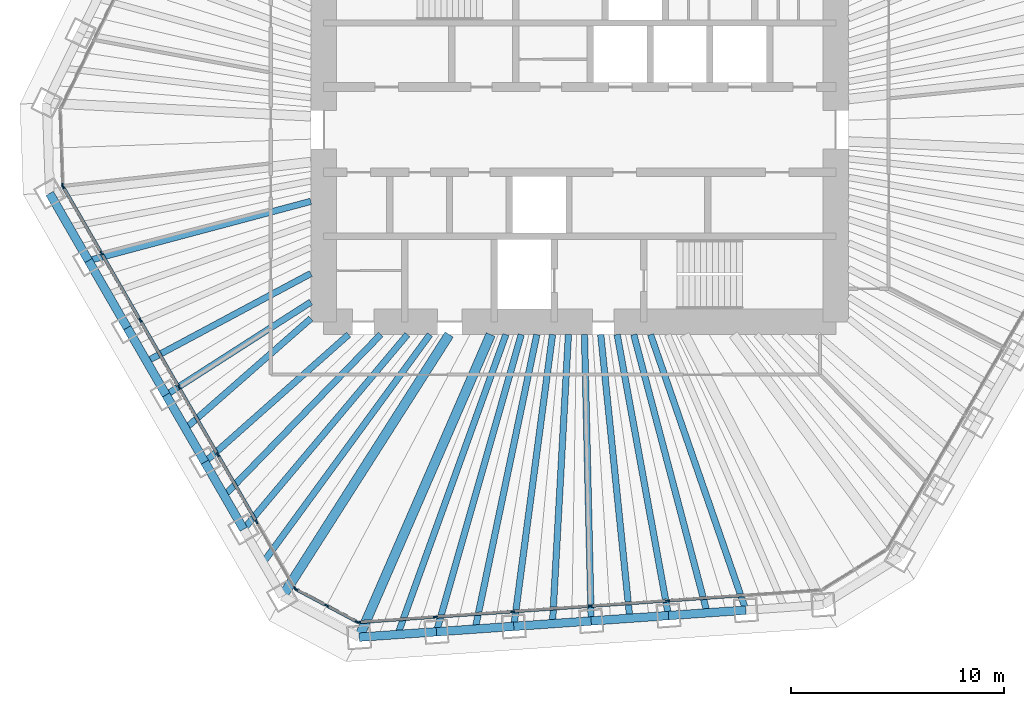
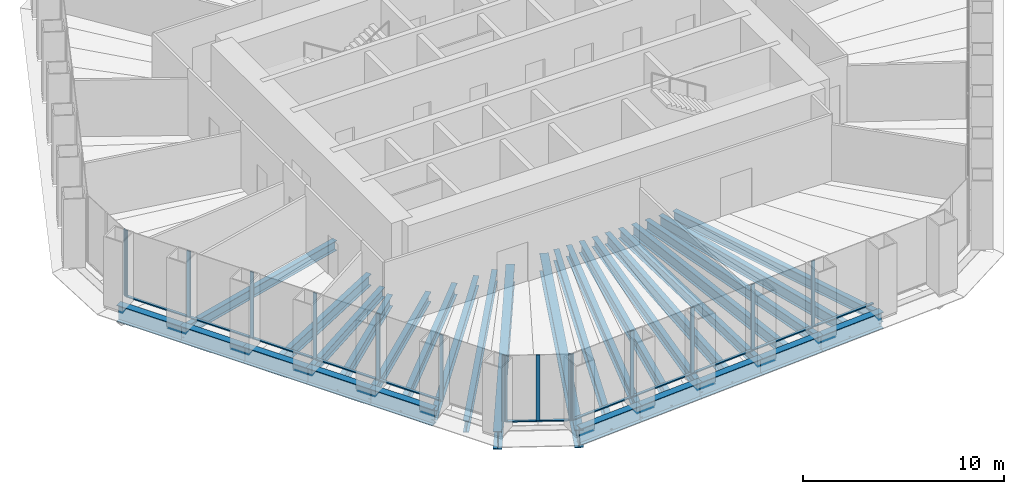
# One storey, part 2 of 13: 30 beams, 28 members, 4 elements without a shape of their own.
"""IFC4 building model written with IfcOpenShell, lengths in metres."""

from ifc_helpers import new_model, si_unit, direction, frame, origin, origin_2d, place, context, subcontext, project, spatial, rectangle, i_section, extrude, material, material_profile, profile_set, type_object, element, aggregate, save


model = new_model("IFC4")

# Units and contexts
model_context = context("Model", 3, precision=1e-05, world=origin(), true_north=direction((0.0, 1.0)))
body_context = subcontext(model_context, "Body", "Model", "MODEL_VIEW")
ifc_project = project(units=[si_unit("LENGTHUNIT", "METRE"), si_unit("AREAUNIT", "SQUARE_METRE"), si_unit("VOLUMEUNIT", "CUBIC_METRE"), si_unit("PLANEANGLEUNIT", "RADIAN"), si_unit("MASSUNIT", "GRAM", prefix="KILO")], contexts=[model_context])

# Site, building, storey
site_placement = place(None, origin())
site = spatial("IfcSite", under=ifc_project, at=site_placement, CompositionType="ELEMENT")
building_placement = place(site_placement, origin())
building = spatial("IfcBuilding", under=site, at=building_placement, Name="Qingtian Harvest Tower", CompositionType="ELEMENT")
storey_placement = place(building_placement, frame((0.0, 0.0, 218.199951171875)))
storey = spatial("IfcBuildingStorey", under=building, at=storey_placement, Name="L47", CompositionType="ELEMENT", Elevation=218.199951171875)

# Beams
ifc_material_1 = material(Name="Steel SM570MC", Category="steel")
ifc_material_profile_1 = material_profile(ifc_material_1, i_section(OverallWidth=0.449951171875, OverallDepth=1.10009765625, WebThickness=0.02197265625, FlangeThickness=0.044921875, at=origin_2d()), Name="H1100x450x22x45")
ifc_profile_set_1 = profile_set([ifc_material_profile_1], Name="Steel SM570MC")
beam_type_1 = type_object("IfcBeamType", Name="Corner floor beam FB8 H1100x450x22x45", PredefinedType="BEAM", material=ifc_profile_set_1)
beam_1_placement = place(storey_placement, frame((-10.33837890625, -23.779052734375, -0.719970703125), z_axis=(0.398714563353, 0.917075077063, 0.0), x_axis=(-0.917075077063, 0.398714563353, 0.0)))
element("IfcBeam", 1, at=beam_1_placement, inside=storey, type_object=beam_type_1, Name="Floor beam FB8 S6", PredefinedType="BEAM", context=body_context, shape_type="SweptSolid", body=[
    extrude(i_section(OverallWidth=0.449951171875, OverallDepth=1.10009765625, WebThickness=0.02197265625, FlangeThickness=0.044921875, at=origin_2d()), origin(), (0.0, 0.0, 1.0), 15.461181640625),
])
beam_2_placement = place(storey_placement, frame((-13.9326171875, -21.8681640625, -0.719970703125), z_axis=(0.537326103898, 0.8433745657, 0.0), x_axis=(-0.8433745657, 0.537326103898, 0.0)))
element("IfcBeam", 2, at=beam_2_placement, inside=storey, type_object=beam_type_1, Name="Floor beam FB8 SW0", PredefinedType="BEAM", context=body_context, shape_type="SweptSolid", body=[
    extrude(i_section(OverallWidth=0.449951171875, OverallDepth=1.10009765625, WebThickness=0.02197265625, FlangeThickness=0.044921875, at=origin_2d()), origin(), (0.0, 0.0, 1.0), 14.54638671875),
])
ifc_material_2 = material(Name="Steel SN490B", Category="steel")
ifc_material_profile_2 = material_profile(ifc_material_2, i_section(OverallWidth=0.300048828125, OverallDepth=0.699951171875, WebThickness=0.012939453125, FlangeThickness=0.02392578125, at=origin_2d()), Name="H700x300x13x24")
ifc_profile_set_2 = profile_set([ifc_material_profile_2], Name="Steel SN490B")
beam_type_2 = type_object("IfcBeamType", Name="Floor beam FB2 H700x300x13x24", PredefinedType="BEAM", material=ifc_profile_set_2)
beam_3_placement = place(storey_placement, frame((-6.713623046875, -23.525634765625, -0.52001953125), z_axis=(0.274411610503, 0.961612327303, 0.0), x_axis=(-0.961612327303, 0.274411610503, 0.0)))
element("IfcBeam", 3, at=beam_3_placement, inside=storey, type_object=beam_type_2, Name="Floor beam FB2 S5", PredefinedType="BEAM", context=body_context, shape_type="SweptSolid", body=[
    extrude(i_section(OverallWidth=0.300048828125, OverallDepth=0.699951171875, WebThickness=0.012939453125, FlangeThickness=0.02392578125, at=origin_2d()), origin(), (0.0, 0.0, 1.0), 14.4814453125),
])
ifc_material_3 = material(Name="Steel SN490B", Category="steel")
ifc_material_profile_3 = material_profile(ifc_material_3, i_section(OverallWidth=0.300048828125, OverallDepth=0.60009765625, WebThickness=0.011962890625, FlangeThickness=0.02001953125, at=origin_2d()), Name="H600x300x12x20")
ifc_profile_set_3 = profile_set([ifc_material_profile_3], Name="Steel SN490B")
beam_type_3 = type_object("IfcBeamType", Name="Floor beam FB3 H600x300x12x20", PredefinedType="BEAM", material=ifc_profile_set_3)
beam_4_placement = place(storey_placement, frame((7.78515625, -22.51171875, -0.469970703125), z_axis=(-0.326844175409, 0.945078242793, 0.0), x_axis=(-0.945078242793, -0.326844175409, 0.0)))
element("IfcBeam", 4, at=beam_4_placement, inside=storey, type_object=beam_type_3, Name="Floor beam FB3 S1", PredefinedType="BEAM", context=body_context, shape_type="SweptSolid", body=[
    extrude(i_section(OverallWidth=0.300048828125, OverallDepth=0.60009765625, WebThickness=0.011962890625, FlangeThickness=0.02001953125, at=origin_2d()), origin(), (0.0, 0.0, 1.0), 13.661865234375),
])
beam_5_placement = place(storey_placement, frame((4.160400390625, -22.76513671875, -0.469970703125), z_axis=(-0.179779537209, 0.983706926885, 0.0), x_axis=(-0.983706926885, -0.179779537209, 0.0)))
element("IfcBeam", 5, at=beam_5_placement, inside=storey, type_object=beam_type_3, Name="Floor beam FB3 S2", PredefinedType="BEAM", context=body_context, shape_type="SweptSolid", body=[
    extrude(i_section(OverallWidth=0.300048828125, OverallDepth=0.60009765625, WebThickness=0.011962890625, FlangeThickness=0.02001953125, at=origin_2d()), origin(), (0.0, 0.0, 1.0), 13.383056640625),
])
beam_6_placement = place(storey_placement, frame((0.53564453125, -23.018798828125, -0.469970703125), z_axis=(-0.023263902078, 0.999729358807, 0.0), x_axis=(-0.999729358807, -0.023263902078, 0.0)))
element("IfcBeam", 6, at=beam_6_placement, inside=storey, type_object=beam_type_3, Name="Floor beam FB3 S3", PredefinedType="BEAM", context=body_context, shape_type="SweptSolid", body=[
    extrude(i_section(OverallWidth=0.300048828125, OverallDepth=0.60009765625, WebThickness=0.011962890625, FlangeThickness=0.02001953125, at=origin_2d()), origin(), (0.0, 0.0, 1.0), 13.42236328125),
])
beam_7_placement = place(storey_placement, frame((-3.089111328125, -23.272216796875, -0.469970703125), z_axis=(0.131593229442, 0.991303799027, 0.0), x_axis=(-0.991303799027, 0.131593229442, 0.0)))
element("IfcBeam", 7, at=beam_7_placement, inside=storey, type_object=beam_type_3, Name="Floor beam FB3 S4", PredefinedType="BEAM", context=body_context, shape_type="SweptSolid", body=[
    extrude(i_section(OverallWidth=0.300048828125, OverallDepth=0.60009765625, WebThickness=0.011962890625, FlangeThickness=0.02001953125, at=origin_2d()), origin(), (0.0, 0.0, 1.0), 13.7919921875),
])
beam_8_placement = place(storey_placement, frame((-15.749267578125, -18.72119140625, -0.469970703125), z_axis=(0.643763532906, 0.765224485821, 0.0), x_axis=(-0.765224485821, 0.643763532906, 0.0)))
element("IfcBeam", 8, at=beam_8_placement, inside=storey, type_object=beam_type_3, Name="Floor beam FB3 SW1", PredefinedType="BEAM", context=body_context, shape_type="SweptSolid", body=[
    extrude(i_section(OverallWidth=0.300048828125, OverallDepth=0.60009765625, WebThickness=0.011962890625, FlangeThickness=0.02001953125, at=origin_2d()), origin(), (0.0, 0.0, 1.0), 11.91943359375),
])
beam_9_placement = place(storey_placement, frame((-17.566162109375, -15.574462890625, -0.469970703125), z_axis=(0.748259768664, 0.663405847577, 0.0), x_axis=(-0.663405847577, 0.748259768664, 0.0)))
element("IfcBeam", 9, at=beam_9_placement, inside=storey, type_object=beam_type_3, Name="Floor beam FB3 SW2", PredefinedType="BEAM", context=body_context, shape_type="SweptSolid", body=[
    extrude(i_section(OverallWidth=0.300048828125, OverallDepth=0.60009765625, WebThickness=0.011962890625, FlangeThickness=0.02001953125, at=origin_2d()), origin(), (0.0, 0.0, 1.0), 9.005615234375),
])
beam_10_placement = place(storey_placement, frame((-19.3828125, -12.427734375, -0.469970703125), z_axis=(0.841823714388, 0.539752567288, 0.0), x_axis=(-0.539752567288, 0.841823714388, 0.0)))
element("IfcBeam", 10, at=beam_10_placement, inside=storey, type_object=beam_type_3, Name="Floor beam FB3 SW3", PredefinedType="BEAM", context=body_context, shape_type="SweptSolid", body=[
    extrude(i_section(OverallWidth=0.300048828125, OverallDepth=0.60009765625, WebThickness=0.011962890625, FlangeThickness=0.02001953125, at=origin_2d()), origin(), (0.0, 0.0, 1.0), 8.05712890625),
])
beam_11_placement = place(storey_placement, frame((-23.016357421875, -6.13427734375, -0.469970703125), z_axis=(0.966270640629, 0.257528734433, 0.0), x_axis=(-0.257528734433, 0.966270640629, 0.0)))
element("IfcBeam", 11, at=beam_11_placement, inside=storey, type_object=beam_type_3, Name="Floor beam FB3 SW5", PredefinedType="BEAM", context=body_context, shape_type="SweptSolid", body=[
    extrude(i_section(OverallWidth=0.300048828125, OverallDepth=0.60009765625, WebThickness=0.011962890625, FlangeThickness=0.02001953125, at=origin_2d()), origin(), (0.0, 0.0, 1.0), 10.77978515625),
])
ifc_material_4 = material(Name="Steel SN490B", Category="steel")
ifc_material_profile_4 = material_profile(ifc_material_4, i_section(OverallWidth=0.300048828125, OverallDepth=0.699951171875, WebThickness=0.012939453125, FlangeThickness=0.02392578125, at=origin_2d()), Name="H700x300x13x24")
ifc_profile_set_4 = profile_set([ifc_material_profile_4], Name="Steel SN490B")
beam_type_4 = type_object("IfcBeamType", Name="Floor joist J2 H700x300x13x24", PredefinedType="JOIST", material=ifc_profile_set_4)
beam_12_placement = place(storey_placement, frame((5.97265625, -22.638427734375, -0.52001953125), z_axis=(-0.255103716232, 0.9669136952, 0.0), x_axis=(-0.9669136952, -0.255103716232, 0.0)))
element("IfcBeam", 12, at=beam_12_placement, inside=storey, type_object=beam_type_4, Name="Floor joist J2 S1", PredefinedType="JOIST", context=body_context, shape_type="SweptSolid", body=[
    extrude(i_section(OverallWidth=0.300048828125, OverallDepth=0.699951171875, WebThickness=0.012939453125, FlangeThickness=0.02392578125, at=origin_2d()), origin(), (0.0, 0.0, 1.0), 13.484375),
])
beam_13_placement = place(storey_placement, frame((2.347900390625, -22.89208984375, -0.52001953125), z_axis=(-0.102028865499, 0.994781438611, 0.0), x_axis=(-0.994781438611, -0.102028865499, 0.0)))
element("IfcBeam", 13, at=beam_13_placement, inside=storey, type_object=beam_type_4, Name="Floor joist J2 S2", PredefinedType="JOIST", context=body_context, shape_type="SweptSolid", body=[
    extrude(i_section(OverallWidth=0.300048828125, OverallDepth=0.699951171875, WebThickness=0.012939453125, FlangeThickness=0.02392578125, at=origin_2d()), origin(), (0.0, 0.0, 1.0), 13.36181640625),
])
beam_14_placement = place(storey_placement, frame((-1.276611328125, -23.1455078125, -0.52001953125), z_axis=(0.055069329716, 0.998482533109, 0.0), x_axis=(-0.998482533109, 0.055069329716, 0.0)))
element("IfcBeam", 14, at=beam_14_placement, inside=storey, type_object=beam_type_4, Name="Floor joist J2 S3", PredefinedType="JOIST", context=body_context, shape_type="SweptSolid", body=[
    extrude(i_section(OverallWidth=0.300048828125, OverallDepth=0.699951171875, WebThickness=0.012939453125, FlangeThickness=0.02392578125, at=origin_2d()), origin(), (0.0, 0.0, 1.0), 13.56591796875),
])
beam_15_placement = place(storey_placement, frame((-4.9013671875, -23.39892578125, -0.52001953125), z_axis=(0.205016322093, 0.978758554331, 0.0), x_axis=(-0.978758554331, 0.205016322093, 0.0)))
element("IfcBeam", 15, at=beam_15_placement, inside=storey, type_object=beam_type_4, Name="Floor joist J2 S4", PredefinedType="JOIST", context=body_context, shape_type="SweptSolid", body=[
    extrude(i_section(OverallWidth=0.300048828125, OverallDepth=0.699951171875, WebThickness=0.012939453125, FlangeThickness=0.02392578125, at=origin_2d()), origin(), (0.0, 0.0, 1.0), 14.098388671875),
])
beam_16_placement = place(storey_placement, frame((-8.526123046875, -23.65234375, -0.52001953125), z_axis=(0.339126305921, 0.940740850943, 0.0), x_axis=(-0.940740850943, 0.339126305921, 0.0)))
element("IfcBeam", 16, at=beam_16_placement, inside=storey, type_object=beam_type_4, Name="Floor joist J2 S5", PredefinedType="JOIST", context=body_context, shape_type="SweptSolid", body=[
    extrude(i_section(OverallWidth=0.300048828125, OverallDepth=0.699951171875, WebThickness=0.012939453125, FlangeThickness=0.02392578125, at=origin_2d()), origin(), (0.0, 0.0, 1.0), 14.9375),
])
beam_17_placement = place(storey_placement, frame((-14.841064453125, -20.294677734375, -0.52001953125), z_axis=(0.590288677526, 0.807192218238, 0.0), x_axis=(-0.807192218238, 0.590288677526, 0.0)))
element("IfcBeam", 17, at=beam_17_placement, inside=storey, type_object=beam_type_4, Name="Floor joist J2 SW0", PredefinedType="JOIST", context=body_context, shape_type="SweptSolid", body=[
    extrude(i_section(OverallWidth=0.300048828125, OverallDepth=0.699951171875, WebThickness=0.012939453125, FlangeThickness=0.02392578125, at=origin_2d()), origin(), (0.0, 0.0, 1.0), 13.2490234375),
])
beam_18_placement = place(storey_placement, frame((-16.65771484375, -17.14794921875, -0.52001953125), z_axis=(0.696777499009, 0.717287332158, 0.0), x_axis=(-0.717287332158, 0.696777499009, 0.0)))
element("IfcBeam", 18, at=beam_18_placement, inside=storey, type_object=beam_type_4, Name="Floor joist J2 SW1", PredefinedType="JOIST", context=body_context, shape_type="SweptSolid", body=[
    extrude(i_section(OverallWidth=0.300048828125, OverallDepth=0.699951171875, WebThickness=0.012939453125, FlangeThickness=0.02392578125, at=origin_2d()), origin(), (0.0, 0.0, 1.0), 10.522705078125),
])
beam_19_placement = place(storey_placement, frame((-18.474609375, -14.001220703125, -0.52001953125), z_axis=(0.751883296969, 0.659296221542, 0.0), x_axis=(-0.659296221542, 0.751883296969, 0.0)))
element("IfcBeam", 19, at=beam_19_placement, inside=storey, type_object=beam_type_4, Name="Floor joist J2 SW2", PredefinedType="JOIST", context=body_context, shape_type="SweptSolid", body=[
    extrude(i_section(OverallWidth=0.300048828125, OverallDepth=0.699951171875, WebThickness=0.012939453125, FlangeThickness=0.02392578125, at=origin_2d()), origin(), (0.0, 0.0, 1.0), 7.81298828125),
])
beam_20_placement = place(storey_placement, frame((-20.291259765625, -10.8544921875, -0.52001953125), z_axis=(0.881766503154, 0.471686160402, 0.0), x_axis=(-0.471686160402, 0.881766503154, 0.0)))
element("IfcBeam", 20, at=beam_20_placement, inside=storey, type_object=beam_type_4, Name="Floor joist J2 SW3", PredefinedType="JOIST", context=body_context, shape_type="SweptSolid", body=[
    extrude(i_section(OverallWidth=0.300048828125, OverallDepth=0.699951171875, WebThickness=0.012939453125, FlangeThickness=0.02392578125, at=origin_2d()), origin(), (0.0, 0.0, 1.0), 8.722412109375),
])

# Curtain wall, members
ifc_material_5 = material(Name="Bronze-anodised aluminium curtain wall", Category="aluminium")
curtain_wall_type = type_object("IfcCurtainWallType", Name="Curtain wall CW4 office", PredefinedType="USERDEFINED", material=ifc_material_5)
curtain_wall_1_placement = place(storey_placement, origin())
curtain_wall_1 = element("IfcCurtainWall", 21, at=curtain_wall_1_placement, inside=storey, type_object=curtain_wall_type, Name="Curtain wall CW4 L47 S0-5", ObjectType="RECESSED CURTAIN WALL", PredefinedType="USERDEFINED")
ifc_material_6 = material(Name="Bronze-anodised aluminium mullion", Category="aluminium")
ifc_material_profile_5 = material_profile(ifc_material_6, rectangle(XDim=0.06494140625, YDim=0.199951171875, at=origin_2d()), Name="AL 65x200")
ifc_profile_set_5 = profile_set([ifc_material_profile_5], Name="Bronze-anodised aluminium mullion")
member_type_1 = type_object("IfcMemberType", Name="Mullion CWM 65x200", PredefinedType="MULLION", material=ifc_profile_set_5)
member_1_placement = place(storey_placement, frame((4.111572265625, -22.06689453125, 0.0), z_axis=(0.0, 0.0, 1.0), x_axis=(0.069756473744, -0.99756405026, 0.0)))
member_1 = element("IfcMember", 22, at=member_1_placement, type_object=member_type_1, Name="CW4 mullion 3", PredefinedType="MULLION", context=body_context, shape_type="SweptSolid", body=[
    extrude(rectangle(XDim=0.06494140625, YDim=0.199951171875, at=origin_2d()), origin(), (0.0, 0.0, 1.0), 4.030029296875),
])
member_2_placement = place(storey_placement, frame((0.48681640625, -22.3203125, 0.0), z_axis=(0.0, 0.0, 1.0), x_axis=(0.069756473744, -0.99756405026, 0.0)))
member_2 = element("IfcMember", 23, at=member_2_placement, type_object=member_type_1, Name="CW4 mullion 4", PredefinedType="MULLION", context=body_context, shape_type="SweptSolid", body=[
    extrude(rectangle(XDim=0.06494140625, YDim=0.199951171875, at=origin_2d()), origin(), (0.0, 0.0, 1.0), 4.030029296875),
])
member_3_placement = place(storey_placement, frame((-3.137939453125, -22.573974609375, 0.0), z_axis=(0.0, 0.0, 1.0), x_axis=(0.069756473744, -0.99756405026, 0.0)))
member_3 = element("IfcMember", 24, at=member_3_placement, type_object=member_type_1, Name="CW4 mullion 5", PredefinedType="MULLION", context=body_context, shape_type="SweptSolid", body=[
    extrude(rectangle(XDim=0.06494140625, YDim=0.199951171875, at=origin_2d()), origin(), (0.0, 0.0, 1.0), 4.030029296875),
])
member_4_placement = place(storey_placement, frame((-6.762451171875, -22.827392578125, 0.0), z_axis=(0.0, 0.0, 1.0), x_axis=(0.069756473744, -0.99756405026, 0.0)))
member_4 = element("IfcMember", 25, at=member_4_placement, type_object=member_type_1, Name="CW4 mullion 6", PredefinedType="MULLION", context=body_context, shape_type="SweptSolid", body=[
    extrude(rectangle(XDim=0.06494140625, YDim=0.199951171875, at=origin_2d()), origin(), (0.0, 0.0, 1.0), 4.030029296875),
])
member_5_placement = place(storey_placement, frame((-10.354736328125, -23.07861328125, 0.0), z_axis=(0.0, 0.0, 1.0), x_axis=(0.069756473744, -0.99756405026, 0.0)))
member_5 = element("IfcMember", 26, at=member_5_placement, type_object=member_type_1, Name="CW4 mullion 7", PredefinedType="MULLION", context=body_context, shape_type="SweptSolid", body=[
    extrude(rectangle(XDim=0.06494140625, YDim=0.199951171875, at=origin_2d()), origin(), (0.0, 0.0, 1.0), 4.030029296875),
])

curtain_wall_2_placement = place(storey_placement, origin())
curtain_wall_2 = element("IfcCurtainWall", 27, at=curtain_wall_2_placement, inside=storey, type_object=curtain_wall_type, Name="Curtain wall CW4 L47 SC", ObjectType="RECESSED CURTAIN WALL", PredefinedType="USERDEFINED")
member_6_placement = place(storey_placement, frame((-10.416015625, -23.0654296875, 0.0), z_axis=(0.0, 0.0, 1.0), x_axis=(-0.469471562786, -0.882947592859, 0.0)))
member_6 = element("IfcMember", 28, at=member_6_placement, type_object=member_type_1, Name="CW4 mullion 1", PredefinedType="MULLION", context=body_context, shape_type="SweptSolid", body=[
    extrude(rectangle(XDim=0.06494140625, YDim=0.199951171875, at=origin_2d()), origin(), (0.0, 0.0, 1.0), 4.030029296875),
])
member_7_placement = place(storey_placement, frame((-11.85693359375, -22.29931640625, 0.0), z_axis=(0.0, 0.0, 1.0), x_axis=(-0.469471562786, -0.882947592859, 0.0)))
member_7 = element("IfcMember", 29, at=member_7_placement, type_object=member_type_1, Name="CW4 mullion 2", PredefinedType="MULLION", context=body_context, shape_type="SweptSolid", body=[
    extrude(rectangle(XDim=0.06494140625, YDim=0.199951171875, at=origin_2d()), origin(), (0.0, 0.0, 1.0), 4.030029296875),
])
member_8_placement = place(storey_placement, frame((-13.297607421875, -21.533203125, 0.0), z_axis=(0.0, 0.0, 1.0), x_axis=(-0.469471562786, -0.882947592859, 0.0)))
member_8 = element("IfcMember", 30, at=member_8_placement, type_object=member_type_1, Name="CW4 mullion 3", PredefinedType="MULLION", context=body_context, shape_type="SweptSolid", body=[
    extrude(rectangle(XDim=0.06494140625, YDim=0.199951171875, at=origin_2d()), origin(), (0.0, 0.0, 1.0), 4.030029296875),
])

curtain_wall_3_placement = place(storey_placement, origin())
curtain_wall_3 = element("IfcCurtainWall", 31, at=curtain_wall_3_placement, inside=storey, type_object=curtain_wall_type, Name="Curtain wall CW4 L47 SW0-5", ObjectType="RECESSED CURTAIN WALL", PredefinedType="USERDEFINED")
member_9_placement = place(storey_placement, frame((-13.342529296875, -21.489990234375, 0.0), z_axis=(0.0, 0.0, 1.0), x_axis=(-0.866025403784, -0.5, 0.0)))
member_9 = element("IfcMember", 32, at=member_9_placement, type_object=member_type_1, Name="CW4 mullion 1", PredefinedType="MULLION", context=body_context, shape_type="SweptSolid", body=[
    extrude(rectangle(XDim=0.06494140625, YDim=0.199951171875, at=origin_2d()), origin(), (0.0, 0.0, 1.0), 4.030029296875),
])
member_10_placement = place(storey_placement, frame((-15.14306640625, -18.371337890625, 0.0), z_axis=(0.0, 0.0, 1.0), x_axis=(-0.866025403784, -0.5, 0.0)))
member_10 = element("IfcMember", 33, at=member_10_placement, type_object=member_type_1, Name="CW4 mullion 2", PredefinedType="MULLION", context=body_context, shape_type="SweptSolid", body=[
    extrude(rectangle(XDim=0.06494140625, YDim=0.199951171875, at=origin_2d()), origin(), (0.0, 0.0, 1.0), 4.030029296875),
])
member_11_placement = place(storey_placement, frame((-16.9599609375, -15.224609375, 0.0), z_axis=(0.0, 0.0, 1.0), x_axis=(-0.866025403784, -0.5, 0.0)))
member_11 = element("IfcMember", 34, at=member_11_placement, type_object=member_type_1, Name="CW4 mullion 3", PredefinedType="MULLION", context=body_context, shape_type="SweptSolid", body=[
    extrude(rectangle(XDim=0.06494140625, YDim=0.199951171875, at=origin_2d()), origin(), (0.0, 0.0, 1.0), 4.030029296875),
])
member_12_placement = place(storey_placement, frame((-18.776611328125, -12.077880859375, 0.0), z_axis=(0.0, 0.0, 1.0), x_axis=(-0.866025403784, -0.5, 0.0)))
member_12 = element("IfcMember", 35, at=member_12_placement, type_object=member_type_1, Name="CW4 mullion 4", PredefinedType="MULLION", context=body_context, shape_type="SweptSolid", body=[
    extrude(rectangle(XDim=0.06494140625, YDim=0.199951171875, at=origin_2d()), origin(), (0.0, 0.0, 1.0), 4.030029296875),
])
member_13_placement = place(storey_placement, frame((-20.593505859375, -8.93115234375, 0.0), z_axis=(0.0, 0.0, 1.0), x_axis=(-0.866025403784, -0.5, 0.0)))
member_13 = element("IfcMember", 36, at=member_13_placement, type_object=member_type_1, Name="CW4 mullion 5", PredefinedType="MULLION", context=body_context, shape_type="SweptSolid", body=[
    extrude(rectangle(XDim=0.06494140625, YDim=0.199951171875, at=origin_2d()), origin(), (0.0, 0.0, 1.0), 4.030029296875),
])
member_14_placement = place(storey_placement, frame((-22.41015625, -5.784423828125, 0.0), z_axis=(0.0, 0.0, 1.0), x_axis=(-0.866025403784, -0.5, 0.0)))
member_14 = element("IfcMember", 37, at=member_14_placement, type_object=member_type_1, Name="CW4 mullion 6", PredefinedType="MULLION", context=body_context, shape_type="SweptSolid", body=[
    extrude(rectangle(XDim=0.06494140625, YDim=0.199951171875, at=origin_2d()), origin(), (0.0, 0.0, 1.0), 4.030029296875),
])
member_15_placement = place(storey_placement, frame((-24.210693359375, -2.665771484375, 0.0), z_axis=(0.0, 0.0, 1.0), x_axis=(-0.866025403784, -0.5, 0.0)))
member_15 = element("IfcMember", 38, at=member_15_placement, type_object=member_type_1, Name="CW4 mullion 7", PredefinedType="MULLION", context=body_context, shape_type="SweptSolid", body=[
    extrude(rectangle(XDim=0.06494140625, YDim=0.199951171875, at=origin_2d()), origin(), (0.0, 0.0, 1.0), 4.030029296875),
])

# Curtain wall, member
curtain_wall_4_placement = place(storey_placement, origin())
curtain_wall_4 = element("IfcCurtainWall", 39, at=curtain_wall_4_placement, inside=storey, type_object=curtain_wall_type, Name="Curtain wall CW4 L47 SWC", ObjectType="RECESSED CURTAIN WALL", PredefinedType="USERDEFINED")
member_16_placement = place(storey_placement, frame((-24.228271484375, -2.60498046875, 0.0), z_axis=(0.0, 0.0, 1.0), x_axis=(-0.999390827019, -0.034899496703, 0.0)))
member_16 = element("IfcMember", 40, at=member_16_placement, type_object=member_type_1, Name="CW4 mullion 1", PredefinedType="MULLION", context=body_context, shape_type="SweptSolid", body=[
    extrude(rectangle(XDim=0.06494140625, YDim=0.199951171875, at=origin_2d()), origin(), (0.0, 0.0, 1.0), 4.030029296875),
])
aggregate(curtain_wall_4, [member_16])

# Beams
ifc_material_7 = material(Name="Steel SN490B", Category="steel")
ifc_material_profile_6 = material_profile(ifc_material_7, i_section(OverallWidth=0.39990234375, OverallDepth=1.0, WebThickness=0.01904296875, FlangeThickness=0.035888671875, at=origin_2d()), Name="H1000x400x19x36")
ifc_profile_set_6 = profile_set([ifc_material_profile_6], Name="Steel SN490B")
beam_type_5 = type_object("IfcBeamType", Name="Spandrel beam SB3 H1000x400x19x36", PredefinedType="SPANDREL", material=ifc_profile_set_6)
for number, where, z_axis, x_axis, name in (
    (41, (7.78515625, -22.51171875, -0.5), (-0.997565001055, -0.069742875402, 0.0), (0.069742875402, -0.997565001055, 0.0), "Spandrel SB3 S1"),
    (42, (4.160400390625, -22.76513671875, -0.5), (-0.997560324246, -0.069809737785, 0.0), (0.069809737785, -0.997560324246, 0.0), "Spandrel SB3 S2"),
    (43, (0.53564453125, -23.018798828125, -0.5), (-0.997565001055, -0.069742875402, 0.0), (0.069742875402, -0.997565001055, 0.0), "Spandrel SB3 S3"),
):
    element("IfcBeam", number, at=place(storey_placement, frame(where, z_axis=z_axis, x_axis=x_axis)), inside=storey, type_object=beam_type_5, Name=name, PredefinedType="SPANDREL", context=body_context, shape_type="SweptSolid", body=[
        extrude(i_section(OverallWidth=0.39990234375, OverallDepth=1.0, WebThickness=0.01904296875, FlangeThickness=0.035888671875, at=origin_2d()), origin(), (0.0, 0.0, 1.0), 3.633544921875),
    ])
beam_21_placement = place(storey_placement, frame((-3.089111328125, -23.272216796875, -0.5), z_axis=(-0.997564674207, -0.069747550305, 0.0), x_axis=(0.069747550305, -0.997564674207, 0.0)))
element("IfcBeam", 44, at=beam_21_placement, inside=storey, type_object=beam_type_5, Name="Spandrel SB3 S4", PredefinedType="SPANDREL", context=body_context, shape_type="SweptSolid", body=[
    extrude(i_section(OverallWidth=0.39990234375, OverallDepth=1.0, WebThickness=0.01904296875, FlangeThickness=0.035888671875, at=origin_2d()), origin(), (0.0, 0.0, 1.0), 3.63330078125),
])
for number, where, z_axis, x_axis, name in (
    (45, (-6.713623046875, -23.525634765625, -0.5), (-0.997565001055, -0.069742875402, 0.0), (0.069742875402, -0.997565001055, 0.0), "Spandrel SB3 S5"),
    (46, (-15.749267578125, -18.72119140625, -0.5), (-0.500026827678, 0.866009914263, 0.0), (-0.866009914263, -0.500026827678, 0.0), "Spandrel SB3 SW1"),
    (47, (-17.566162109375, -15.574462890625, -0.5), (-0.499976434558, 0.866039008871, 0.0), (-0.866039008871, -0.499976434558, 0.0), "Spandrel SB3 SW2"),
    (48, (-19.3828125, -12.427734375, -0.5), (-0.500026827678, 0.866009914263, 0.0), (-0.866009914263, -0.500026827678, 0.0), "Spandrel SB3 SW3"),
    (49, (-21.19970703125, -9.281005859375, -0.5), (-0.499976434558, 0.866039008871, 0.0), (-0.866039008871, -0.499976434558, 0.0), "Spandrel SB3 SW4"),
    (50, (-23.016357421875, -6.13427734375, -0.5), (-0.500026827678, 0.866009914263, 0.0), (-0.866009914263, -0.500026827678, 0.0), "Spandrel SB3 SW5"),
):
    element("IfcBeam", number, at=place(storey_placement, frame(where, z_axis=z_axis, x_axis=x_axis)), inside=storey, type_object=beam_type_5, Name=name, PredefinedType="SPANDREL", context=body_context, shape_type="SweptSolid", body=[
        extrude(i_section(OverallWidth=0.39990234375, OverallDepth=1.0, WebThickness=0.01904296875, FlangeThickness=0.035888671875, at=origin_2d()), origin(), (0.0, 0.0, 1.0), 3.633544921875),
    ])

# Member
ifc_material_8 = material(Name="Bronze-anodised aluminium transom", Category="aluminium")
ifc_material_profile_7 = material_profile(ifc_material_8, rectangle(XDim=0.14990234375, YDim=0.06494140625, at=origin_2d()), Name="AL 65x150")
ifc_profile_set_7 = profile_set([ifc_material_profile_7], Name="Bronze-anodised aluminium transom")
member_type_2 = type_object("IfcMemberType", Name="Transom CWT 65x150", PredefinedType="USERDEFINED", material=ifc_profile_set_7)
member_17_placement = place(storey_placement, frame((7.703857421875, -21.815673828125, 0.032470703125), z_axis=(-0.997562159126, -0.069783512949, 0.0), x_axis=(0.069783512949, -0.997562159126, 0.0)))
member_17 = element("IfcMember", 51, at=member_17_placement, type_object=member_type_2, Name="CW4 transom 2.1", ObjectType="TRANSOM", PredefinedType="USERDEFINED", context=body_context, shape_type="SweptSolid", body=[
    extrude(rectangle(XDim=0.14990234375, YDim=0.06494140625, at=origin_2d()), origin(), (0.0, 0.0, 1.0), 3.568603515625),
])

member_18_placement = place(storey_placement, frame((4.0791015625, -22.0693359375, 0.032470703125), z_axis=(-0.99756691944, -0.069715430417, 0.0), x_axis=(0.069715430417, -0.99756691944, 0.0)))
member_18 = element("IfcMember", 52, at=member_18_placement, type_object=member_type_2, Name="CW4 transom 3.1", ObjectType="TRANSOM", PredefinedType="USERDEFINED", context=body_context, shape_type="SweptSolid", body=[
    extrude(rectangle(XDim=0.14990234375, YDim=0.06494140625, at=origin_2d()), origin(), (0.0, 0.0, 1.0), 3.568603515625),
])

member_19_placement = place(storey_placement, frame((0.454345703125, -22.32275390625, 0.032470703125), z_axis=(-0.99756691944, -0.069715430417, 0.0), x_axis=(0.069715430417, -0.99756691944, 0.0)))
member_19 = element("IfcMember", 53, at=member_19_placement, type_object=member_type_2, Name="CW4 transom 4.1", ObjectType="TRANSOM", PredefinedType="USERDEFINED", context=body_context, shape_type="SweptSolid", body=[
    extrude(rectangle(XDim=0.14990234375, YDim=0.06494140625, at=origin_2d()), origin(), (0.0, 0.0, 1.0), 3.568603515625),
])

member_20_placement = place(storey_placement, frame((-3.170166015625, -22.576171875, 0.032470703125), z_axis=(-0.997567251922, -0.069710672727, 0.0), x_axis=(0.069710672727, -0.997567251922, 0.0)))
member_20 = element("IfcMember", 54, at=member_20_placement, type_object=member_type_2, Name="CW4 transom 5.1", ObjectType="TRANSOM", PredefinedType="USERDEFINED", context=body_context, shape_type="SweptSolid", body=[
    extrude(rectangle(XDim=0.14990234375, YDim=0.06494140625, at=origin_2d()), origin(), (0.0, 0.0, 1.0), 3.56884765625),
])

member_21_placement = place(storey_placement, frame((-6.794921875, -22.82958984375, 0.032470703125), z_axis=(-0.997565839557, -0.069730880888, 0.0), x_axis=(0.069730880888, -0.997565839557, 0.0)))
member_21 = element("IfcMember", 55, at=member_21_placement, type_object=member_type_2, Name="CW4 transom 6.1", ObjectType="TRANSOM", PredefinedType="USERDEFINED", context=body_context, shape_type="SweptSolid", body=[
    extrude(rectangle(XDim=0.14990234375, YDim=0.06494140625, at=origin_2d()), origin(), (0.0, 0.0, 1.0), 3.5361328125),
])

aggregate(curtain_wall_1, [member_1, member_2, member_3, member_4, member_5, member_17, member_18, member_19, member_20, member_21])

member_22_placement = place(storey_placement, frame((-10.444580078125, -23.05029296875, 0.032470703125), z_axis=(-0.882960338349, 0.46944759122, 0.0), x_axis=(-0.46944759122, -0.882960338349, 0.0)))
member_22 = element("IfcMember", 56, at=member_22_placement, type_object=member_type_2, Name="CW4 transom 1.1", ObjectType="TRANSOM", PredefinedType="USERDEFINED", context=body_context, shape_type="SweptSolid", body=[
    extrude(rectangle(XDim=0.14990234375, YDim=0.06494140625, at=origin_2d()), origin(), (0.0, 0.0, 1.0), 1.56689453125),
])

member_23_placement = place(storey_placement, frame((-11.885498046875, -22.2841796875, 0.032470703125), z_axis=(-0.882960338349, 0.46944759122, 0.0), x_axis=(-0.46944759122, -0.882960338349, 0.0)))
member_23 = element("IfcMember", 57, at=member_23_placement, type_object=member_type_2, Name="CW4 transom 2.1", ObjectType="TRANSOM", PredefinedType="USERDEFINED", context=body_context, shape_type="SweptSolid", body=[
    extrude(rectangle(XDim=0.14990234375, YDim=0.06494140625, at=origin_2d()), origin(), (0.0, 0.0, 1.0), 1.56689453125),
])

aggregate(curtain_wall_2, [member_6, member_7, member_8, member_22, member_23])

member_24_placement = place(storey_placement, frame((-15.159423828125, -18.34326171875, 0.032470703125), z_axis=(-0.499965259726, 0.866045460162, 0.0), x_axis=(-0.866045460162, -0.499965259726, 0.0)))
member_24 = element("IfcMember", 58, at=member_24_placement, type_object=member_type_2, Name="CW4 transom 2.1", ObjectType="TRANSOM", PredefinedType="USERDEFINED", context=body_context, shape_type="SweptSolid", body=[
    extrude(rectangle(XDim=0.14990234375, YDim=0.06494140625, at=origin_2d()), origin(), (0.0, 0.0, 1.0), 3.568603515625),
])

member_25_placement = place(storey_placement, frame((-16.97607421875, -15.1962890625, 0.032470703125), z_axis=(-0.500046194516, 0.865998731726, 0.0), x_axis=(-0.865998731726, -0.500046194516, 0.0)))
member_25 = element("IfcMember", 59, at=member_25_placement, type_object=member_type_2, Name="CW4 transom 3.1", ObjectType="TRANSOM", PredefinedType="USERDEFINED", context=body_context, shape_type="SweptSolid", body=[
    extrude(rectangle(XDim=0.14990234375, YDim=0.06494140625, at=origin_2d()), origin(), (0.0, 0.0, 1.0), 3.568603515625),
])

member_26_placement = place(storey_placement, frame((-18.79296875, -12.049560546875, 0.032470703125), z_axis=(-0.499994883695, 0.866028357664, 0.0), x_axis=(-0.866028357664, -0.499994883695, 0.0)))
member_26 = element("IfcMember", 60, at=member_26_placement, type_object=member_type_2, Name="CW4 transom 4.1", ObjectType="TRANSOM", PredefinedType="USERDEFINED", context=body_context, shape_type="SweptSolid", body=[
    extrude(rectangle(XDim=0.14990234375, YDim=0.06494140625, at=origin_2d()), origin(), (0.0, 0.0, 1.0), 3.568359375),
])

member_27_placement = place(storey_placement, frame((-20.609619140625, -8.90283203125, 0.032470703125), z_axis=(-0.500046194516, 0.865998731726, 0.0), x_axis=(-0.865998731726, -0.500046194516, 0.0)))
member_27 = element("IfcMember", 61, at=member_27_placement, type_object=member_type_2, Name="CW4 transom 5.1", ObjectType="TRANSOM", PredefinedType="USERDEFINED", context=body_context, shape_type="SweptSolid", body=[
    extrude(rectangle(XDim=0.14990234375, YDim=0.06494140625, at=origin_2d()), origin(), (0.0, 0.0, 1.0), 3.568603515625),
])

member_28_placement = place(storey_placement, frame((-22.426513671875, -5.756103515625, 0.032470703125), z_axis=(-0.500015305566, 0.866016566931, 0.0), x_axis=(-0.866016566931, -0.500015305566, 0.0)))
member_28 = element("IfcMember", 62, at=member_28_placement, type_object=member_type_2, Name="CW4 transom 6.1", ObjectType="TRANSOM", PredefinedType="USERDEFINED", context=body_context, shape_type="SweptSolid", body=[
    extrude(rectangle(XDim=0.14990234375, YDim=0.06494140625, at=origin_2d()), origin(), (0.0, 0.0, 1.0), 3.5361328125),
])

aggregate(curtain_wall_3, [member_9, member_10, member_11, member_12, member_13, member_14, member_15, member_24, member_25, member_26, member_27, member_28])

save(model, "model.ifc")
